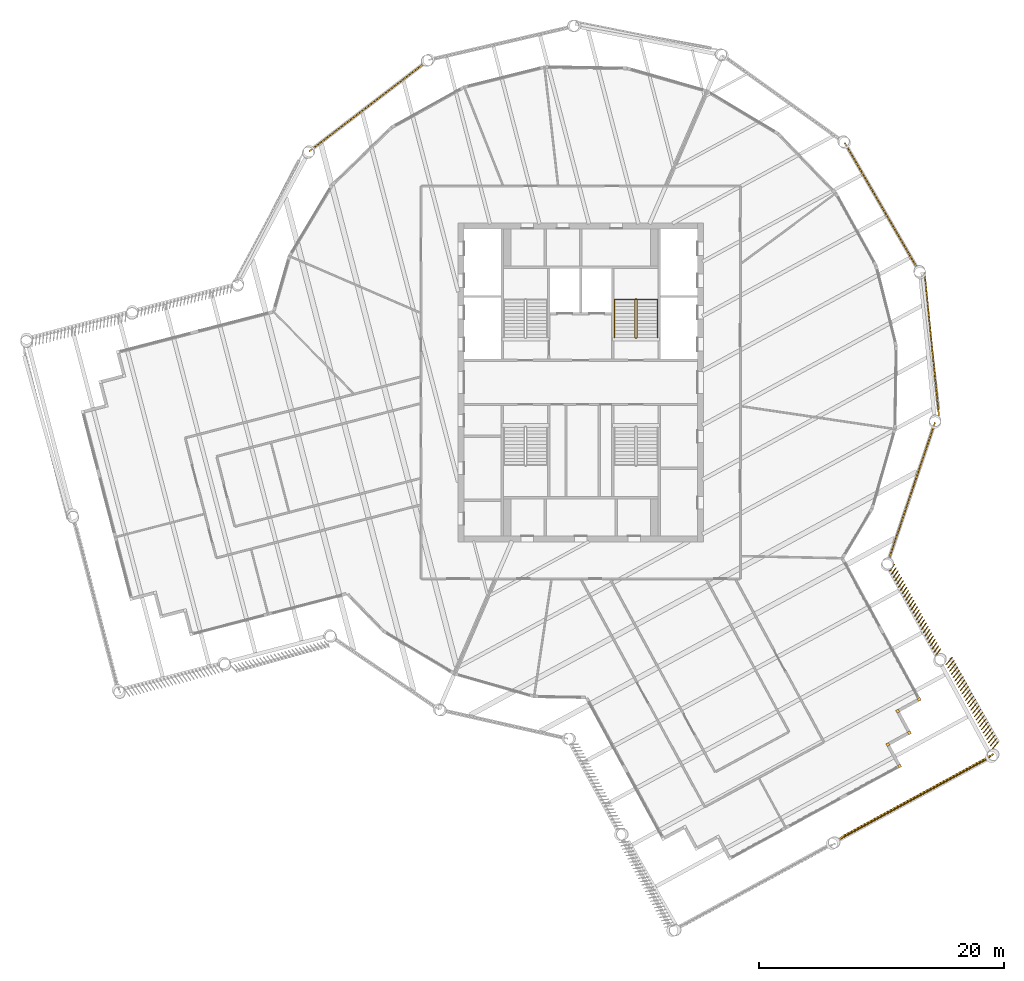
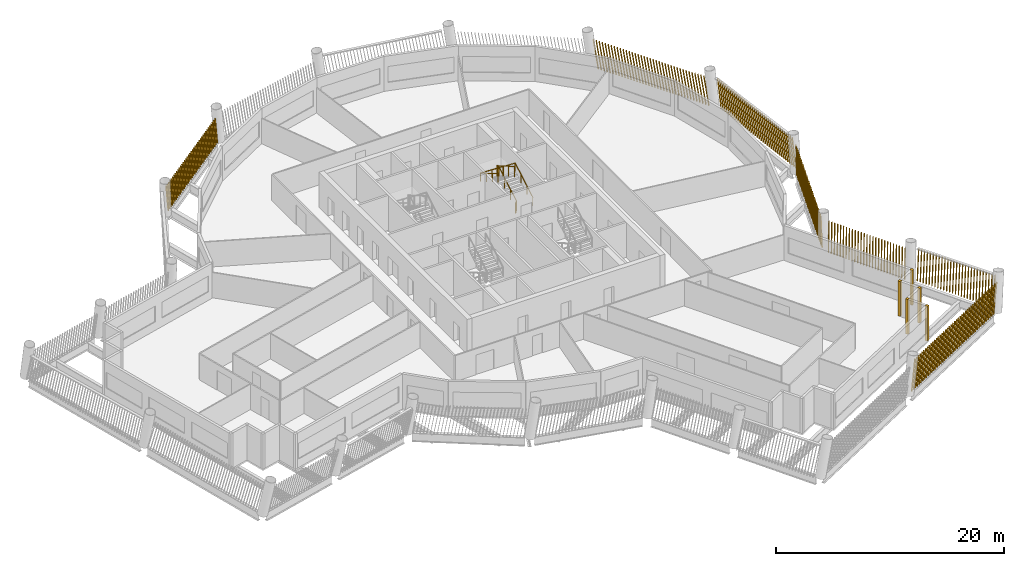
# One storey, part 12 of 14: 12 shading devices, 2 railings.
"""IFC4 building model written with IfcOpenShell, lengths in metres."""

from ifc_helpers import new_model, si_unit, direction, frame, frame_2d, origin, origin_2d, place, context, subcontext, project, spatial, rectangle, circle, composite_profile, extrude, material, type_object, element, save


model = new_model("IFC4")

# Units and contexts
model_context = context("Model", 3, precision=1e-05, world=origin(), true_north=direction((0.0, 1.0)))
body_context = subcontext(model_context, "Body", "Model", "MODEL_VIEW")
ifc_project = project(units=[si_unit("LENGTHUNIT", "METRE"), si_unit("AREAUNIT", "SQUARE_METRE"), si_unit("VOLUMEUNIT", "CUBIC_METRE"), si_unit("PLANEANGLEUNIT", "RADIAN"), si_unit("MASSUNIT", "GRAM", prefix="KILO")], contexts=[model_context])

# Site, building, storey
site_placement = place(None, origin())
site = spatial("IfcSite", under=ifc_project, at=site_placement, CompositionType="ELEMENT")
building_placement = place(site_placement, origin())
building = spatial("IfcBuilding", under=site, at=building_placement, Name="Tarsis Ring Headquarters", CompositionType="ELEMENT")
storey_placement = place(building_placement, frame((0.0, 0.0, 343.10009765625)))
storey = spatial("IfcBuildingStorey", under=building, at=storey_placement, Name="L81", CompositionType="ELEMENT", Elevation=343.10009765625)

# Railings
ifc_material_1 = material(Name="Steel S355", Category="steel")
railing_type_1 = type_object("IfcRailingType", Name="Core stair guard 1100", PredefinedType="GUARDRAIL", material=ifc_material_1)
railing_1_placement = place(storey_placement, frame((4.4599609375, 3.610107421875, 0.0)))
element("IfcRailing", 1, at=railing_1_placement, inside=storey, type_object=railing_type_1, Name="L81 ST2 stair guard 1", PredefinedType="GUARDRAIL", context=body_context, shape_type="SweptSolid", body=[
    extrude(circle(Radius=0.02392578125, at=origin_2d()), frame((0.0, 0.0, 1.076171875), z_axis=(1.0, 0.0, 0.0), x_axis=(0.0, 1.0, 0.0)), (0.0, 0.0, 1.0), 0.080078125),
    extrude(circle(Radius=0.02392578125, at=origin_2d()), frame((0.080078125, 0.0, 1.076171875), z_axis=(0.282693820306, 0.281314826061, 0.917031173188), x_axis=(-0.705375805398, 0.708833529934, 0.0)), (0.0, 0.0, 1.0), 0.177001953125),
    extrude(circle(Radius=0.02392578125, at=origin_2d()), frame((0.130126953125, 0.0498046875, 1.23828125), z_axis=(0.0, 0.864890721111, 0.501960198159), x_axis=(-1.0, 0.0, 0.0)), (0.0, 0.0, 1.0), 3.561279296875),
    extrude(circle(Radius=0.02392578125, at=origin_2d()), frame((0.130126953125, 3.1298828125, 3.02587890625), z_axis=(-0.707106781187, 0.707106781187, 0.0), x_axis=(-0.707106781187, -0.707106781187, 0.0)), (0.0, 0.0, 1.0), 0.07080078125),
    extrude(circle(Radius=0.02392578125, at=origin_2d()), frame((0.080078125, 3.179931640625, 3.02587890625), z_axis=(-1.0, 0.0, 0.0), x_axis=(0.0, -1.0, 0.0)), (0.0, 0.0, 1.0), 0.080078125),
    extrude(circle(Radius=0.02392578125, at=origin_2d()), frame((0.0, 3.179931640625, 3.02587890625), z_axis=(-0.282583949758, -0.282583949758, 0.916674763849), x_axis=(0.707106781187, -0.707106781187, 0.0)), (0.0, 0.0, 1.0), 0.177001953125),
    extrude(circle(Radius=0.02392578125, at=origin_2d()), frame((-0.050048828125, 3.1298828125, 3.1884765625), z_axis=(0.0, -0.864890721111, 0.501960198159), x_axis=(1.0, 0.0, 0.0)), (0.0, 0.0, 1.0), 3.561279296875),
    extrude(circle(Radius=0.02099609375, at=origin_2d()), origin(), (0.0, 0.0, 1.0), 1.052001953125),
    extrude(circle(Radius=0.02099609375, at=origin_2d()), frame((0.080078125, 0.0, 0.0)), (0.0, 0.0, 1.0), 1.052001953125),
    extrude(circle(Radius=0.02099609375, at=origin_2d()), frame((0.130126953125, 0.0498046875, 0.162353515625)), (0.0, 0.0, 1.0), 1.052001953125),
    extrude(circle(Radius=0.02099609375, at=origin_2d()), frame((0.130126953125, 1.076416015625, 0.75830078125)), (0.0, 0.0, 1.0), 1.052001953125),
    extrude(circle(Radius=0.02099609375, at=origin_2d()), frame((0.130126953125, 2.103271484375, 1.35400390625)), (0.0, 0.0, 1.0), 1.052001953125),
    extrude(circle(Radius=0.02099609375, at=origin_2d()), frame((0.130126953125, 3.1298828125, 1.949951171875)), (0.0, 0.0, 1.0), 1.052001953125),
    extrude(circle(Radius=0.02099609375, at=origin_2d()), frame((0.080078125, 3.179931640625, 1.949951171875)), (0.0, 0.0, 1.0), 1.052001953125),
    extrude(circle(Radius=0.02099609375, at=origin_2d()), frame((0.0, 3.179931640625, 1.949951171875)), (0.0, 0.0, 1.0), 1.052001953125),
    extrude(circle(Radius=0.02099609375, at=origin_2d()), frame((-0.050048828125, 3.1298828125, 2.1123046875)), (0.0, 0.0, 1.0), 1.052001953125),
    extrude(circle(Radius=0.02099609375, at=origin_2d()), frame((-0.050048828125, 2.103271484375, 2.708251953125)), (0.0, 0.0, 1.0), 1.052001953125),
    extrude(circle(Radius=0.02099609375, at=origin_2d()), frame((-0.050048828125, 1.076416015625, 3.303955078125)), (0.0, 0.0, 1.0), 1.052001953125),
    extrude(circle(Radius=0.02099609375, at=origin_2d()), frame((-0.050048828125, 0.0498046875, 3.89990234375)), (0.0, 0.0, 1.0), 1.052001953125),
])
railing_type_2 = type_object("IfcRailingType", Name="Core stair handrail 900", PredefinedType="HANDRAIL", material=ifc_material_1)
railing_2_placement = place(storey_placement, frame((6.25, 3.659912109375, 0.162353515625)))
element("IfcRailing", 2, at=railing_2_placement, inside=storey, type_object=railing_type_2, Name="L81 ST2 stair handrail 1", PredefinedType="HANDRAIL", context=body_context, shape_type="SweptSolid", body=[
    extrude(circle(Radius=0.02392578125, at=origin_2d()), frame((0.0, 0.0, 0.8759765625), z_axis=(0.0, 0.864890721111, 0.501960198159), x_axis=(-1.0, 0.0, 0.0)), (0.0, 0.0, 1.0), 3.561279296875),
    extrude(circle(Radius=0.02392578125, at=origin_2d()), frame((0.0, 3.080078125, 2.66357421875), z_axis=(-0.998925869279, 0.0, 0.04633689335), x_axis=(0.0, -1.0, 0.0)), (0.0, 0.0, 1.0), 3.503662109375),
    extrude(circle(Radius=0.02392578125, at=origin_2d()), frame((-3.5, 3.080078125, 2.82568359375), z_axis=(0.0, -0.864890721111, 0.501960198159), x_axis=(1.0, 0.0, 0.0)), (0.0, 0.0, 1.0), 3.561279296875),
    extrude(circle(Radius=0.02099609375, at=origin_2d()), origin(), (0.0, 0.0, 1.0), 0.851806640625),
    extrude(circle(Radius=0.02099609375, at=origin_2d()), frame((0.0, 1.026611328125, 0.595947265625)), (0.0, 0.0, 1.0), 0.851806640625),
    extrude(circle(Radius=0.02099609375, at=origin_2d()), frame((0.0, 2.053466796875, 1.191650390625)), (0.0, 0.0, 1.0), 0.851806640625),
    extrude(circle(Radius=0.02099609375, at=origin_2d()), frame((0.0, 3.080078125, 1.78759765625)), (0.0, 0.0, 1.0), 0.851806640625),
    extrude(circle(Radius=0.02099609375, at=origin_2d()), frame((-1.166748046875, 3.080078125, 1.841796875)), (0.0, 0.0, 1.0), 0.851806640625),
    extrude(circle(Radius=0.02099609375, at=origin_2d()), frame((-2.333251953125, 3.080078125, 1.895751953125)), (0.0, 0.0, 1.0), 0.851806640625),
    extrude(circle(Radius=0.02099609375, at=origin_2d()), frame((-3.5, 3.080078125, 1.949951171875)), (0.0, 0.0, 1.0), 0.851806640625),
    extrude(circle(Radius=0.02099609375, at=origin_2d()), frame((-3.5, 2.053466796875, 2.5458984375)), (0.0, 0.0, 1.0), 0.851806640625),
    extrude(circle(Radius=0.02099609375, at=origin_2d()), frame((-3.5, 1.026611328125, 3.1416015625)), (0.0, 0.0, 1.0), 0.851806640625),
    extrude(circle(Radius=0.02099609375, at=origin_2d()), frame((-3.5, 0.0, 3.737548828125)), (0.0, 0.0, 1.0), 0.851806640625),
])

# Shading devices
ifc_material_2 = material(Name="Terracotta baguette", Category="masonry")
shading_device_type_1 = type_object("IfcShadingDeviceType", Name="Terracotta baguette screen", PredefinedType="USERDEFINED", material=ifc_material_2)
shading_device_1_placement = place(storey_placement, frame((20.90087890625, -37.35302734375, 0.0), z_axis=(0.0, 0.0, 1.0), x_axis=(0.878319327731, 0.478089341, 0.0)))
element("IfcShadingDevice", 3, at=shading_device_1_placement, inside=storey, type_object=shading_device_type_1, Name="Baguette screen L81-04", ObjectType="Terracotta baguette screen", PredefinedType="USERDEFINED", context=body_context, shape_type="SweptSolid", body=[
    extrude(composite_profile([rectangle(XDim=0.06005859375, YDim=0.1201171875, at=frame_2d((0.030029296875, 0.0))), rectangle(XDim=0.06005859375, YDim=0.1201171875, at=frame_2d((0.33544921875, 0.0))), rectangle(XDim=0.06005859375, YDim=0.1201171875, at=frame_2d((0.640625, 0.0))), rectangle(XDim=0.06005859375, YDim=0.1201171875, at=frame_2d((0.946044921875, 0.0))), rectangle(XDim=0.06005859375, YDim=0.1201171875, at=frame_2d((1.25146484375, 0.0))), rectangle(XDim=0.06005859375, YDim=0.1201171875, at=frame_2d((1.556640625, 0.0))), rectangle(XDim=0.06005859375, YDim=0.1201171875, at=frame_2d((1.862060546875, 0.0))), rectangle(XDim=0.06005859375, YDim=0.1201171875, at=frame_2d((2.16748046875, 0.0))), rectangle(XDim=0.06005859375, YDim=0.1201171875, at=frame_2d((2.47265625, 0.0))), rectangle(XDim=0.06005859375, YDim=0.1201171875, at=frame_2d((2.778076171875, 0.0))), rectangle(XDim=0.06005859375, YDim=0.1201171875, at=frame_2d((3.08349609375, 0.0))), rectangle(XDim=0.06005859375, YDim=0.1201171875, at=frame_2d((3.388671875, 0.0))), rectangle(XDim=0.06005859375, YDim=0.1201171875, at=frame_2d((3.694091796875, 0.0))), rectangle(XDim=0.06005859375, YDim=0.1201171875, at=frame_2d((3.99951171875, 0.0))), rectangle(XDim=0.06005859375, YDim=0.1201171875, at=frame_2d((4.3046875, 0.0))), rectangle(XDim=0.06005859375, YDim=0.1201171875, at=frame_2d((4.610107421875, 0.0))), rectangle(XDim=0.06005859375, YDim=0.1201171875, at=frame_2d((4.91552734375, 0.0))), rectangle(XDim=0.06005859375, YDim=0.1201171875, at=frame_2d((5.220703125, 0.0))), rectangle(XDim=0.06005859375, YDim=0.1201171875, at=frame_2d((5.526123046875, 0.0))), rectangle(XDim=0.06005859375, YDim=0.1201171875, at=frame_2d((5.83154296875, 0.0))), rectangle(XDim=0.06005859375, YDim=0.1201171875, at=frame_2d((6.13671875, 0.0))), rectangle(XDim=0.06005859375, YDim=0.1201171875, at=frame_2d((6.442138671875, 0.0))), rectangle(XDim=0.06005859375, YDim=0.1201171875, at=frame_2d((6.74755859375, 0.0))), rectangle(XDim=0.06005859375, YDim=0.1201171875, at=frame_2d((7.052734375, 0.0))), rectangle(XDim=0.06005859375, YDim=0.1201171875, at=frame_2d((7.358154296875, 0.0))), rectangle(XDim=0.06005859375, YDim=0.1201171875, at=frame_2d((7.66357421875, 0.0))), rectangle(XDim=0.06005859375, YDim=0.1201171875, at=frame_2d((7.96875, 0.0))), rectangle(XDim=0.06005859375, YDim=0.1201171875, at=frame_2d((8.274169921875, 0.0))), rectangle(XDim=0.06005859375, YDim=0.1201171875, at=frame_2d((8.57958984375, 0.0))), rectangle(XDim=0.06005859375, YDim=0.1201171875, at=frame_2d((8.884765625, 0.0))), rectangle(XDim=0.06005859375, YDim=0.1201171875, at=frame_2d((9.190185546875, 0.0))), rectangle(XDim=0.06005859375, YDim=0.1201171875, at=frame_2d((9.49560546875, 0.0))), rectangle(XDim=0.06005859375, YDim=0.1201171875, at=frame_2d((9.80078125, 0.0))), rectangle(XDim=0.06005859375, YDim=0.1201171875, at=frame_2d((10.106201171875, 0.0))), rectangle(XDim=0.06005859375, YDim=0.1201171875, at=frame_2d((10.41162109375, 0.0))), rectangle(XDim=0.06005859375, YDim=0.1201171875, at=frame_2d((10.716796875, 0.0))), rectangle(XDim=0.06005859375, YDim=0.1201171875, at=frame_2d((11.022216796875, 0.0))), rectangle(XDim=0.06005859375, YDim=0.1201171875, at=frame_2d((11.32763671875, 0.0))), rectangle(XDim=0.06005859375, YDim=0.1201171875, at=frame_2d((11.6328125, 0.0))), rectangle(XDim=0.06005859375, YDim=0.1201171875, at=frame_2d((11.938232421875, 0.0))), rectangle(XDim=0.06005859375, YDim=0.1201171875, at=frame_2d((12.24365234375, 0.0))), rectangle(XDim=0.06005859375, YDim=0.1201171875, at=frame_2d((12.548828125, 0.0))), rectangle(XDim=0.06005859375, YDim=0.1201171875, at=frame_2d((12.854248046875, 0.0))), rectangle(XDim=0.06005859375, YDim=0.1201171875, at=frame_2d((13.15966796875, 0.0))), rectangle(XDim=0.06005859375, YDim=0.1201171875, at=frame_2d((13.46484375, 0.0))), rectangle(XDim=0.06005859375, YDim=0.1201171875, at=frame_2d((13.770263671875, 0.0)))]), origin(), (0.252588591987, 0.046034300988, 0.966478063036), 3.07080078125),
])
shading_device_2_placement = place(storey_placement, frame((33.55126953125, -29.89794921875, 0.0), z_axis=(0.0, 0.0, 1.0), x_axis=(-0.478095650025, 0.878305734058, 0.0)))
element("IfcShadingDevice", 4, at=shading_device_2_placement, inside=storey, type_object=shading_device_type_1, Name="Baguette screen L81-05", ObjectType="Terracotta baguette screen", PredefinedType="USERDEFINED", context=body_context, shape_type="SweptSolid", body=[
    extrude(composite_profile([rectangle(XDim=0.06005859375, YDim=0.1201171875, at=frame_2d((0.030029296875, 0.0))), rectangle(XDim=0.06005859375, YDim=0.1201171875, at=frame_2d((0.33154296875, 0.0))), rectangle(XDim=0.06005859375, YDim=0.1201171875, at=frame_2d((0.63330078125, 0.0))), rectangle(XDim=0.06005859375, YDim=0.1201171875, at=frame_2d((0.934814453125, 0.0))), rectangle(XDim=0.06005859375, YDim=0.1201171875, at=frame_2d((1.236572265625, 0.0))), rectangle(XDim=0.06005859375, YDim=0.1201171875, at=frame_2d((1.5380859375, 0.0))), rectangle(XDim=0.06005859375, YDim=0.1201171875, at=frame_2d((1.83984375, 0.0))), rectangle(XDim=0.06005859375, YDim=0.1201171875, at=frame_2d((2.141357421875, 0.0))), rectangle(XDim=0.06005859375, YDim=0.1201171875, at=frame_2d((2.443115234375, 0.0))), rectangle(XDim=0.06005859375, YDim=0.1201171875, at=frame_2d((2.74462890625, 0.0))), rectangle(XDim=0.06005859375, YDim=0.1201171875, at=frame_2d((3.04638671875, 0.0))), rectangle(XDim=0.06005859375, YDim=0.1201171875, at=frame_2d((3.347900390625, 0.0))), rectangle(XDim=0.06005859375, YDim=0.1201171875, at=frame_2d((3.649658203125, 0.0))), rectangle(XDim=0.06005859375, YDim=0.1201171875, at=frame_2d((3.951171875, 0.0))), rectangle(XDim=0.06005859375, YDim=0.1201171875, at=frame_2d((4.252685546875, 0.0))), rectangle(XDim=0.06005859375, YDim=0.1201171875, at=frame_2d((4.554443359375, 0.0))), rectangle(XDim=0.06005859375, YDim=0.1201171875, at=frame_2d((4.85595703125, 0.0))), rectangle(XDim=0.06005859375, YDim=0.1201171875, at=frame_2d((5.15771484375, 0.0))), rectangle(XDim=0.06005859375, YDim=0.1201171875, at=frame_2d((5.459228515625, 0.0))), rectangle(XDim=0.06005859375, YDim=0.1201171875, at=frame_2d((5.760986328125, 0.0))), rectangle(XDim=0.06005859375, YDim=0.1201171875, at=frame_2d((6.0625, 0.0))), rectangle(XDim=0.06005859375, YDim=0.1201171875, at=frame_2d((6.3642578125, 0.0))), rectangle(XDim=0.06005859375, YDim=0.1201171875, at=frame_2d((6.665771484375, 0.0))), rectangle(XDim=0.06005859375, YDim=0.1201171875, at=frame_2d((6.967529296875, 0.0))), rectangle(XDim=0.06005859375, YDim=0.1201171875, at=frame_2d((7.26904296875, 0.0))), rectangle(XDim=0.06005859375, YDim=0.1201171875, at=frame_2d((7.57080078125, 0.0))), rectangle(XDim=0.06005859375, YDim=0.1201171875, at=frame_2d((7.872314453125, 0.0)))]), origin(), (0.092048516053, -0.226597343929, 0.969629163349), 3.060791015625),
])
shading_device_3_placement = place(storey_placement, frame((28.9658203125, -22.25830078125, 0.0), z_axis=(0.0, 0.0, 1.0), x_axis=(-0.478079525443, 0.878332869898, 0.0)))
element("IfcShadingDevice", 5, at=shading_device_3_placement, inside=storey, type_object=shading_device_type_1, Name="Baguette screen L81-06", ObjectType="Terracotta baguette screen", PredefinedType="USERDEFINED", context=body_context, shape_type="SweptSolid", body=[
    extrude(composite_profile([rectangle(XDim=0.06005859375, YDim=0.1201171875, at=frame_2d((0.030029296875, 0.0))), rectangle(XDim=0.06005859375, YDim=0.1201171875, at=frame_2d((0.33154296875, 0.0))), rectangle(XDim=0.06005859375, YDim=0.1201171875, at=frame_2d((0.63330078125, 0.0))), rectangle(XDim=0.06005859375, YDim=0.1201171875, at=frame_2d((0.934814453125, 0.0))), rectangle(XDim=0.06005859375, YDim=0.1201171875, at=frame_2d((1.236572265625, 0.0))), rectangle(XDim=0.06005859375, YDim=0.1201171875, at=frame_2d((1.5380859375, 0.0))), rectangle(XDim=0.06005859375, YDim=0.1201171875, at=frame_2d((1.83984375, 0.0))), rectangle(XDim=0.06005859375, YDim=0.1201171875, at=frame_2d((2.141357421875, 0.0))), rectangle(XDim=0.06005859375, YDim=0.1201171875, at=frame_2d((2.443115234375, 0.0))), rectangle(XDim=0.06005859375, YDim=0.1201171875, at=frame_2d((2.74462890625, 0.0))), rectangle(XDim=0.06005859375, YDim=0.1201171875, at=frame_2d((3.04638671875, 0.0))), rectangle(XDim=0.06005859375, YDim=0.1201171875, at=frame_2d((3.347900390625, 0.0))), rectangle(XDim=0.06005859375, YDim=0.1201171875, at=frame_2d((3.649658203125, 0.0))), rectangle(XDim=0.06005859375, YDim=0.1201171875, at=frame_2d((3.951171875, 0.0))), rectangle(XDim=0.06005859375, YDim=0.1201171875, at=frame_2d((4.252685546875, 0.0))), rectangle(XDim=0.06005859375, YDim=0.1201171875, at=frame_2d((4.554443359375, 0.0))), rectangle(XDim=0.06005859375, YDim=0.1201171875, at=frame_2d((4.85595703125, 0.0))), rectangle(XDim=0.06005859375, YDim=0.1201171875, at=frame_2d((5.15771484375, 0.0))), rectangle(XDim=0.06005859375, YDim=0.1201171875, at=frame_2d((5.459228515625, 0.0))), rectangle(XDim=0.06005859375, YDim=0.1201171875, at=frame_2d((5.760986328125, 0.0))), rectangle(XDim=0.06005859375, YDim=0.1201171875, at=frame_2d((6.0625, 0.0))), rectangle(XDim=0.06005859375, YDim=0.1201171875, at=frame_2d((6.3642578125, 0.0))), rectangle(XDim=0.06005859375, YDim=0.1201171875, at=frame_2d((6.665771484375, 0.0))), rectangle(XDim=0.06005859375, YDim=0.1201171875, at=frame_2d((6.967529296875, 0.0))), rectangle(XDim=0.06005859375, YDim=0.1201171875, at=frame_2d((7.26904296875, 0.0))), rectangle(XDim=0.06005859375, YDim=0.1201171875, at=frame_2d((7.57080078125, 0.0))), rectangle(XDim=0.06005859375, YDim=0.1201171875, at=frame_2d((7.872314453125, 0.0)))]), origin(), (0.090334838573, -0.175736815046, 0.980283728712), 3.02734375),
])
shading_device_4_placement = place(storey_placement, frame((25.108642578125, -14.404541015625, 0.0), z_axis=(0.0, 0.0, 1.0), x_axis=(0.31960933261, 0.947542051004, 0.0)))
element("IfcShadingDevice", 6, at=shading_device_4_placement, inside=storey, type_object=shading_device_type_1, Name="Baguette screen L81-07", ObjectType="Terracotta baguette screen", PredefinedType="USERDEFINED", context=body_context, shape_type="SweptSolid", body=[
    extrude(composite_profile([rectangle(XDim=0.06005859375, YDim=0.1201171875, at=frame_2d((0.030029296875, 0.0))), rectangle(XDim=0.06005859375, YDim=0.1201171875, at=frame_2d((0.33251953125, 0.0))), rectangle(XDim=0.06005859375, YDim=0.1201171875, at=frame_2d((0.634765625, 0.0))), rectangle(XDim=0.06005859375, YDim=0.1201171875, at=frame_2d((0.937255859375, 0.0))), rectangle(XDim=0.06005859375, YDim=0.1201171875, at=frame_2d((1.239501953125, 0.0))), rectangle(XDim=0.06005859375, YDim=0.1201171875, at=frame_2d((1.5419921875, 0.0))), rectangle(XDim=0.06005859375, YDim=0.1201171875, at=frame_2d((1.844482421875, 0.0))), rectangle(XDim=0.06005859375, YDim=0.1201171875, at=frame_2d((2.146728515625, 0.0))), rectangle(XDim=0.06005859375, YDim=0.1201171875, at=frame_2d((2.44921875, 0.0))), rectangle(XDim=0.06005859375, YDim=0.1201171875, at=frame_2d((2.751708984375, 0.0))), rectangle(XDim=0.06005859375, YDim=0.1201171875, at=frame_2d((3.053955078125, 0.0))), rectangle(XDim=0.06005859375, YDim=0.1201171875, at=frame_2d((3.3564453125, 0.0))), rectangle(XDim=0.06005859375, YDim=0.1201171875, at=frame_2d((3.65869140625, 0.0))), rectangle(XDim=0.06005859375, YDim=0.1201171875, at=frame_2d((3.961181640625, 0.0))), rectangle(XDim=0.06005859375, YDim=0.1201171875, at=frame_2d((4.263671875, 0.0))), rectangle(XDim=0.06005859375, YDim=0.1201171875, at=frame_2d((4.56591796875, 0.0))), rectangle(XDim=0.06005859375, YDim=0.1201171875, at=frame_2d((4.868408203125, 0.0))), rectangle(XDim=0.06005859375, YDim=0.1201171875, at=frame_2d((5.1708984375, 0.0))), rectangle(XDim=0.06005859375, YDim=0.1201171875, at=frame_2d((5.47314453125, 0.0))), rectangle(XDim=0.06005859375, YDim=0.1201171875, at=frame_2d((5.775634765625, 0.0))), rectangle(XDim=0.06005859375, YDim=0.1201171875, at=frame_2d((6.077880859375, 0.0))), rectangle(XDim=0.06005859375, YDim=0.1201171875, at=frame_2d((6.38037109375, 0.0))), rectangle(XDim=0.06005859375, YDim=0.1201171875, at=frame_2d((6.682861328125, 0.0))), rectangle(XDim=0.06005859375, YDim=0.1201171875, at=frame_2d((6.985107421875, 0.0))), rectangle(XDim=0.06005859375, YDim=0.1201171875, at=frame_2d((7.28759765625, 0.0))), rectangle(XDim=0.06005859375, YDim=0.1201171875, at=frame_2d((7.590087890625, 0.0))), rectangle(XDim=0.06005859375, YDim=0.1201171875, at=frame_2d((7.892333984375, 0.0))), rectangle(XDim=0.06005859375, YDim=0.1201171875, at=frame_2d((8.19482421875, 0.0))), rectangle(XDim=0.06005859375, YDim=0.1201171875, at=frame_2d((8.4970703125, 0.0))), rectangle(XDim=0.06005859375, YDim=0.1201171875, at=frame_2d((8.799560546875, 0.0))), rectangle(XDim=0.06005859375, YDim=0.1201171875, at=frame_2d((9.10205078125, 0.0))), rectangle(XDim=0.06005859375, YDim=0.1201171875, at=frame_2d((9.404296875, 0.0))), rectangle(XDim=0.06005859375, YDim=0.1201171875, at=frame_2d((9.706787109375, 0.0))), rectangle(XDim=0.06005859375, YDim=0.1201171875, at=frame_2d((10.00927734375, 0.0))), rectangle(XDim=0.06005859375, YDim=0.1201171875, at=frame_2d((10.3115234375, 0.0))), rectangle(XDim=0.06005859375, YDim=0.1201171875, at=frame_2d((10.614013671875, 0.0))), rectangle(XDim=0.06005859375, YDim=0.1201171875, at=frame_2d((10.916259765625, 0.0))), rectangle(XDim=0.06005859375, YDim=0.1201171875, at=frame_2d((11.21875, 0.0)))]), origin(), (0.171100225933, 0.00155486454, 0.985252401713), 3.01220703125),
])
shading_device_5_placement = place(storey_placement, frame((29.18701171875, -2.7373046875, 0.0), z_axis=(0.0, 0.0, 1.0), x_axis=(-0.099379286396, 0.995051653789, 0.0)))
element("IfcShadingDevice", 7, at=shading_device_5_placement, inside=storey, type_object=shading_device_type_1, Name="Baguette screen L81-08", ObjectType="Terracotta baguette screen", PredefinedType="USERDEFINED", context=body_context, shape_type="SweptSolid", body=[
    extrude(composite_profile([rectangle(XDim=0.06005859375, YDim=0.1201171875, at=frame_2d((0.030029296875, 0.0))), rectangle(XDim=0.06005859375, YDim=0.1201171875, at=frame_2d((0.33251953125, 0.0))), rectangle(XDim=0.06005859375, YDim=0.1201171875, at=frame_2d((0.634765625, 0.0))), rectangle(XDim=0.06005859375, YDim=0.1201171875, at=frame_2d((0.937255859375, 0.0))), rectangle(XDim=0.06005859375, YDim=0.1201171875, at=frame_2d((1.239501953125, 0.0))), rectangle(XDim=0.06005859375, YDim=0.1201171875, at=frame_2d((1.5419921875, 0.0))), rectangle(XDim=0.06005859375, YDim=0.1201171875, at=frame_2d((1.844482421875, 0.0))), rectangle(XDim=0.06005859375, YDim=0.1201171875, at=frame_2d((2.146728515625, 0.0))), rectangle(XDim=0.06005859375, YDim=0.1201171875, at=frame_2d((2.44921875, 0.0))), rectangle(XDim=0.06005859375, YDim=0.1201171875, at=frame_2d((2.751708984375, 0.0))), rectangle(XDim=0.06005859375, YDim=0.1201171875, at=frame_2d((3.053955078125, 0.0))), rectangle(XDim=0.06005859375, YDim=0.1201171875, at=frame_2d((3.3564453125, 0.0))), rectangle(XDim=0.06005859375, YDim=0.1201171875, at=frame_2d((3.65869140625, 0.0))), rectangle(XDim=0.06005859375, YDim=0.1201171875, at=frame_2d((3.961181640625, 0.0))), rectangle(XDim=0.06005859375, YDim=0.1201171875, at=frame_2d((4.263671875, 0.0))), rectangle(XDim=0.06005859375, YDim=0.1201171875, at=frame_2d((4.56591796875, 0.0))), rectangle(XDim=0.06005859375, YDim=0.1201171875, at=frame_2d((4.868408203125, 0.0))), rectangle(XDim=0.06005859375, YDim=0.1201171875, at=frame_2d((5.1708984375, 0.0))), rectangle(XDim=0.06005859375, YDim=0.1201171875, at=frame_2d((5.47314453125, 0.0))), rectangle(XDim=0.06005859375, YDim=0.1201171875, at=frame_2d((5.775634765625, 0.0))), rectangle(XDim=0.06005859375, YDim=0.1201171875, at=frame_2d((6.077880859375, 0.0))), rectangle(XDim=0.06005859375, YDim=0.1201171875, at=frame_2d((6.38037109375, 0.0))), rectangle(XDim=0.06005859375, YDim=0.1201171875, at=frame_2d((6.682861328125, 0.0))), rectangle(XDim=0.06005859375, YDim=0.1201171875, at=frame_2d((6.985107421875, 0.0))), rectangle(XDim=0.06005859375, YDim=0.1201171875, at=frame_2d((7.28759765625, 0.0))), rectangle(XDim=0.06005859375, YDim=0.1201171875, at=frame_2d((7.590087890625, 0.0))), rectangle(XDim=0.06005859375, YDim=0.1201171875, at=frame_2d((7.892333984375, 0.0))), rectangle(XDim=0.06005859375, YDim=0.1201171875, at=frame_2d((8.19482421875, 0.0))), rectangle(XDim=0.06005859375, YDim=0.1201171875, at=frame_2d((8.4970703125, 0.0))), rectangle(XDim=0.06005859375, YDim=0.1201171875, at=frame_2d((8.799560546875, 0.0))), rectangle(XDim=0.06005859375, YDim=0.1201171875, at=frame_2d((9.10205078125, 0.0))), rectangle(XDim=0.06005859375, YDim=0.1201171875, at=frame_2d((9.404296875, 0.0))), rectangle(XDim=0.06005859375, YDim=0.1201171875, at=frame_2d((9.706787109375, 0.0))), rectangle(XDim=0.06005859375, YDim=0.1201171875, at=frame_2d((10.00927734375, 0.0))), rectangle(XDim=0.06005859375, YDim=0.1201171875, at=frame_2d((10.3115234375, 0.0))), rectangle(XDim=0.06005859375, YDim=0.1201171875, at=frame_2d((10.614013671875, 0.0))), rectangle(XDim=0.06005859375, YDim=0.1201171875, at=frame_2d((10.916259765625, 0.0))), rectangle(XDim=0.06005859375, YDim=0.1201171875, at=frame_2d((11.21875, 0.0)))]), origin(), (0.173294187572, 0.001573618279, 0.984868848263), 3.013427734375),
])
shading_device_6_placement = place(storey_placement, frame((27.39599609375, 9.34912109375, 0.0), z_axis=(0.0, 0.0, 1.0), x_axis=(-0.500705371677, 0.865610417797, 0.0)))
element("IfcShadingDevice", 8, at=shading_device_6_placement, inside=storey, type_object=shading_device_type_1, Name="Baguette screen L81-09", ObjectType="Terracotta baguette screen", PredefinedType="USERDEFINED", context=body_context, shape_type="SweptSolid", body=[
    extrude(composite_profile([rectangle(XDim=0.06005859375, YDim=0.1201171875, at=frame_2d((0.030029296875, 0.0))), rectangle(XDim=0.06005859375, YDim=0.1201171875, at=frame_2d((0.33251953125, 0.0))), rectangle(XDim=0.06005859375, YDim=0.1201171875, at=frame_2d((0.634765625, 0.0))), rectangle(XDim=0.06005859375, YDim=0.1201171875, at=frame_2d((0.937255859375, 0.0))), rectangle(XDim=0.06005859375, YDim=0.1201171875, at=frame_2d((1.239501953125, 0.0))), rectangle(XDim=0.06005859375, YDim=0.1201171875, at=frame_2d((1.5419921875, 0.0))), rectangle(XDim=0.06005859375, YDim=0.1201171875, at=frame_2d((1.844482421875, 0.0))), rectangle(XDim=0.06005859375, YDim=0.1201171875, at=frame_2d((2.146728515625, 0.0))), rectangle(XDim=0.06005859375, YDim=0.1201171875, at=frame_2d((2.44921875, 0.0))), rectangle(XDim=0.06005859375, YDim=0.1201171875, at=frame_2d((2.751708984375, 0.0))), rectangle(XDim=0.06005859375, YDim=0.1201171875, at=frame_2d((3.053955078125, 0.0))), rectangle(XDim=0.06005859375, YDim=0.1201171875, at=frame_2d((3.3564453125, 0.0))), rectangle(XDim=0.06005859375, YDim=0.1201171875, at=frame_2d((3.65869140625, 0.0))), rectangle(XDim=0.06005859375, YDim=0.1201171875, at=frame_2d((3.961181640625, 0.0))), rectangle(XDim=0.06005859375, YDim=0.1201171875, at=frame_2d((4.263671875, 0.0))), rectangle(XDim=0.06005859375, YDim=0.1201171875, at=frame_2d((4.56591796875, 0.0))), rectangle(XDim=0.06005859375, YDim=0.1201171875, at=frame_2d((4.868408203125, 0.0))), rectangle(XDim=0.06005859375, YDim=0.1201171875, at=frame_2d((5.1708984375, 0.0))), rectangle(XDim=0.06005859375, YDim=0.1201171875, at=frame_2d((5.47314453125, 0.0))), rectangle(XDim=0.06005859375, YDim=0.1201171875, at=frame_2d((5.775634765625, 0.0))), rectangle(XDim=0.06005859375, YDim=0.1201171875, at=frame_2d((6.077880859375, 0.0))), rectangle(XDim=0.06005859375, YDim=0.1201171875, at=frame_2d((6.38037109375, 0.0))), rectangle(XDim=0.06005859375, YDim=0.1201171875, at=frame_2d((6.682861328125, 0.0))), rectangle(XDim=0.06005859375, YDim=0.1201171875, at=frame_2d((6.985107421875, 0.0))), rectangle(XDim=0.06005859375, YDim=0.1201171875, at=frame_2d((7.28759765625, 0.0))), rectangle(XDim=0.06005859375, YDim=0.1201171875, at=frame_2d((7.590087890625, 0.0))), rectangle(XDim=0.06005859375, YDim=0.1201171875, at=frame_2d((7.892333984375, 0.0))), rectangle(XDim=0.06005859375, YDim=0.1201171875, at=frame_2d((8.19482421875, 0.0))), rectangle(XDim=0.06005859375, YDim=0.1201171875, at=frame_2d((8.4970703125, 0.0))), rectangle(XDim=0.06005859375, YDim=0.1201171875, at=frame_2d((8.799560546875, 0.0))), rectangle(XDim=0.06005859375, YDim=0.1201171875, at=frame_2d((9.10205078125, 0.0))), rectangle(XDim=0.06005859375, YDim=0.1201171875, at=frame_2d((9.404296875, 0.0))), rectangle(XDim=0.06005859375, YDim=0.1201171875, at=frame_2d((9.706787109375, 0.0))), rectangle(XDim=0.06005859375, YDim=0.1201171875, at=frame_2d((10.00927734375, 0.0))), rectangle(XDim=0.06005859375, YDim=0.1201171875, at=frame_2d((10.3115234375, 0.0))), rectangle(XDim=0.06005859375, YDim=0.1201171875, at=frame_2d((10.614013671875, 0.0))), rectangle(XDim=0.06005859375, YDim=0.1201171875, at=frame_2d((10.916259765625, 0.0))), rectangle(XDim=0.06005859375, YDim=0.1201171875, at=frame_2d((11.21875, 0.0)))]), origin(), (0.171100804868, 0.001550788511, 0.985252307599), 3.01220703125),
])
shading_device_7_placement = place(storey_placement, frame((-12.785888671875, 25.970458984375, 0.0), z_axis=(0.0, 0.0, 1.0), x_axis=(-0.794231270076, -0.607604826808, 0.0)))
element("IfcShadingDevice", 9, at=shading_device_7_placement, inside=storey, type_object=shading_device_type_1, Name="Baguette screen L81-13", ObjectType="Terracotta baguette screen", PredefinedType="USERDEFINED", context=body_context, shape_type="SweptSolid", body=[
    extrude(composite_profile([rectangle(XDim=0.06005859375, YDim=0.1201171875, at=frame_2d((0.030029296875, 0.0))), rectangle(XDim=0.06005859375, YDim=0.1201171875, at=frame_2d((0.33251953125, 0.0))), rectangle(XDim=0.06005859375, YDim=0.1201171875, at=frame_2d((0.634765625, 0.0))), rectangle(XDim=0.06005859375, YDim=0.1201171875, at=frame_2d((0.937255859375, 0.0))), rectangle(XDim=0.06005859375, YDim=0.1201171875, at=frame_2d((1.239501953125, 0.0))), rectangle(XDim=0.06005859375, YDim=0.1201171875, at=frame_2d((1.5419921875, 0.0))), rectangle(XDim=0.06005859375, YDim=0.1201171875, at=frame_2d((1.844482421875, 0.0))), rectangle(XDim=0.06005859375, YDim=0.1201171875, at=frame_2d((2.146728515625, 0.0))), rectangle(XDim=0.06005859375, YDim=0.1201171875, at=frame_2d((2.44921875, 0.0))), rectangle(XDim=0.06005859375, YDim=0.1201171875, at=frame_2d((2.751708984375, 0.0))), rectangle(XDim=0.06005859375, YDim=0.1201171875, at=frame_2d((3.053955078125, 0.0))), rectangle(XDim=0.06005859375, YDim=0.1201171875, at=frame_2d((3.3564453125, 0.0))), rectangle(XDim=0.06005859375, YDim=0.1201171875, at=frame_2d((3.65869140625, 0.0))), rectangle(XDim=0.06005859375, YDim=0.1201171875, at=frame_2d((3.961181640625, 0.0))), rectangle(XDim=0.06005859375, YDim=0.1201171875, at=frame_2d((4.263671875, 0.0))), rectangle(XDim=0.06005859375, YDim=0.1201171875, at=frame_2d((4.56591796875, 0.0))), rectangle(XDim=0.06005859375, YDim=0.1201171875, at=frame_2d((4.868408203125, 0.0))), rectangle(XDim=0.06005859375, YDim=0.1201171875, at=frame_2d((5.1708984375, 0.0))), rectangle(XDim=0.06005859375, YDim=0.1201171875, at=frame_2d((5.47314453125, 0.0))), rectangle(XDim=0.06005859375, YDim=0.1201171875, at=frame_2d((5.775634765625, 0.0))), rectangle(XDim=0.06005859375, YDim=0.1201171875, at=frame_2d((6.077880859375, 0.0))), rectangle(XDim=0.06005859375, YDim=0.1201171875, at=frame_2d((6.38037109375, 0.0))), rectangle(XDim=0.06005859375, YDim=0.1201171875, at=frame_2d((6.682861328125, 0.0))), rectangle(XDim=0.06005859375, YDim=0.1201171875, at=frame_2d((6.985107421875, 0.0))), rectangle(XDim=0.06005859375, YDim=0.1201171875, at=frame_2d((7.28759765625, 0.0))), rectangle(XDim=0.06005859375, YDim=0.1201171875, at=frame_2d((7.590087890625, 0.0))), rectangle(XDim=0.06005859375, YDim=0.1201171875, at=frame_2d((7.892333984375, 0.0))), rectangle(XDim=0.06005859375, YDim=0.1201171875, at=frame_2d((8.19482421875, 0.0))), rectangle(XDim=0.06005859375, YDim=0.1201171875, at=frame_2d((8.4970703125, 0.0))), rectangle(XDim=0.06005859375, YDim=0.1201171875, at=frame_2d((8.799560546875, 0.0))), rectangle(XDim=0.06005859375, YDim=0.1201171875, at=frame_2d((9.10205078125, 0.0))), rectangle(XDim=0.06005859375, YDim=0.1201171875, at=frame_2d((9.404296875, 0.0))), rectangle(XDim=0.06005859375, YDim=0.1201171875, at=frame_2d((9.706787109375, 0.0))), rectangle(XDim=0.06005859375, YDim=0.1201171875, at=frame_2d((10.00927734375, 0.0))), rectangle(XDim=0.06005859375, YDim=0.1201171875, at=frame_2d((10.3115234375, 0.0))), rectangle(XDim=0.06005859375, YDim=0.1201171875, at=frame_2d((10.614013671875, 0.0))), rectangle(XDim=0.06005859375, YDim=0.1201171875, at=frame_2d((10.916259765625, 0.0))), rectangle(XDim=0.06005859375, YDim=0.1201171875, at=frame_2d((11.21875, 0.0)))]), origin(), (0.171100384023, 0.001551455789, 0.985252379633), 3.01220703125),
])
shading_device_type_2 = type_object("IfcShadingDeviceType", Name="Terracotta corner baguette 250x250", PredefinedType="USERDEFINED", material=ifc_material_2)
for number, where, z_axis, x_axis, name in (
    (10, (25.980224609375, -31.258056640625, 0.0), (0.0, 0.0, 1.0), (0.878316968091, 0.478078762929, 0.0), "Corner baguette L81-12"),
    (11, (25.02392578125, -29.50146484375, 0.0), (0.0, 0.0, 1.0), (-0.478078931554, 0.878316876306, 0.0), "Corner baguette L81-13"),
    (12, (26.780517578125, -28.545166015625, 0.0), (0.0, 0.0, 1.0), (0.878316876306, 0.478078931554, 0.0), "Corner baguette L81-14"),
    (13, (25.824462890625, -26.78857421875, 0.0), (0.0, 0.0, 1.0), (-0.478078762929, 0.878316968091, 0.0), "Corner baguette L81-15"),
    (14, (27.5810546875, -25.83251953125, 0.0), (0.0, 0.0, 1.0), (0.878316876306, 0.478078931554, 0.0), "Corner baguette L81-16"),
):
    element("IfcShadingDevice", number, at=place(storey_placement, frame(where, z_axis=z_axis, x_axis=x_axis)), inside=storey, type_object=shading_device_type_2, Name=name, ObjectType="Terracotta corner baguette", PredefinedType="USERDEFINED", context=body_context, shape_type="SweptSolid", body=[
        extrude(rectangle(XDim=0.25, YDim=0.25, at=origin_2d()), origin(), (0.0, 0.0, 1.0), 3.739990234375),
    ])

save(model, "model.ifc")
